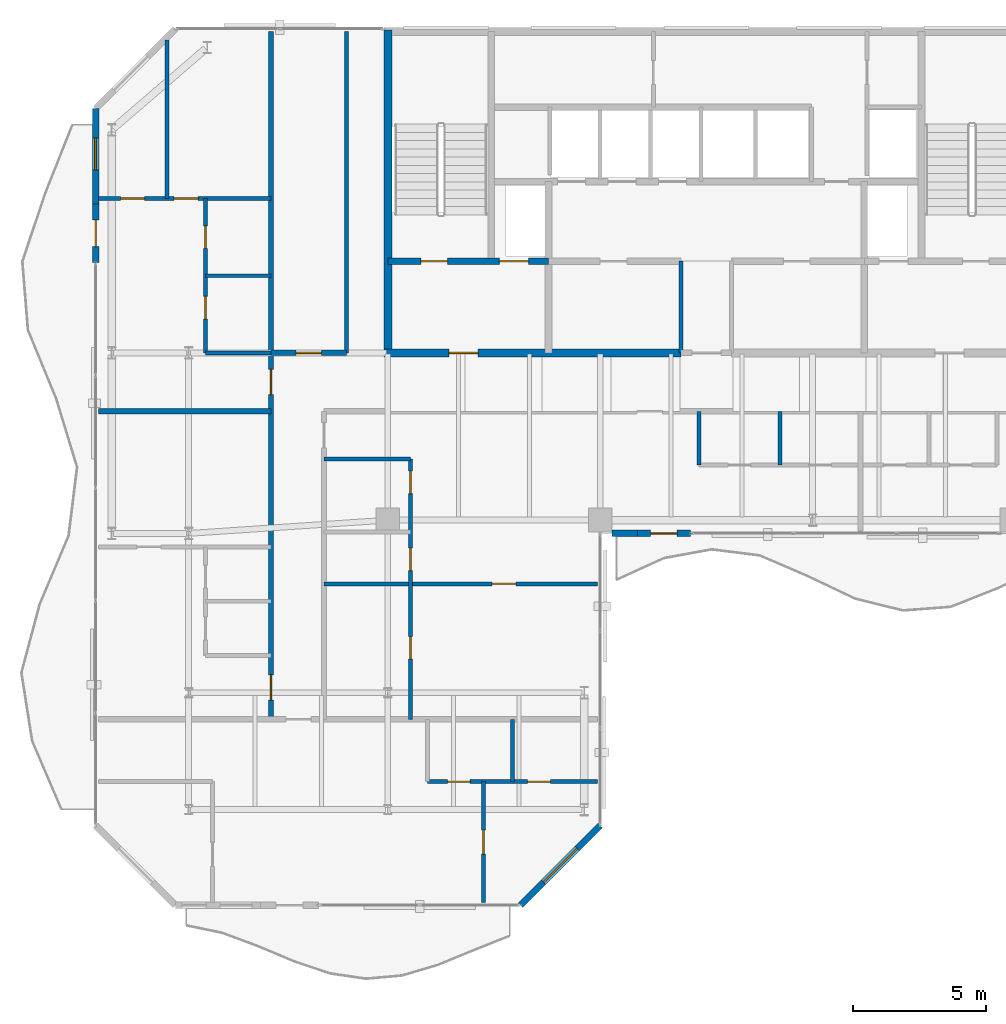
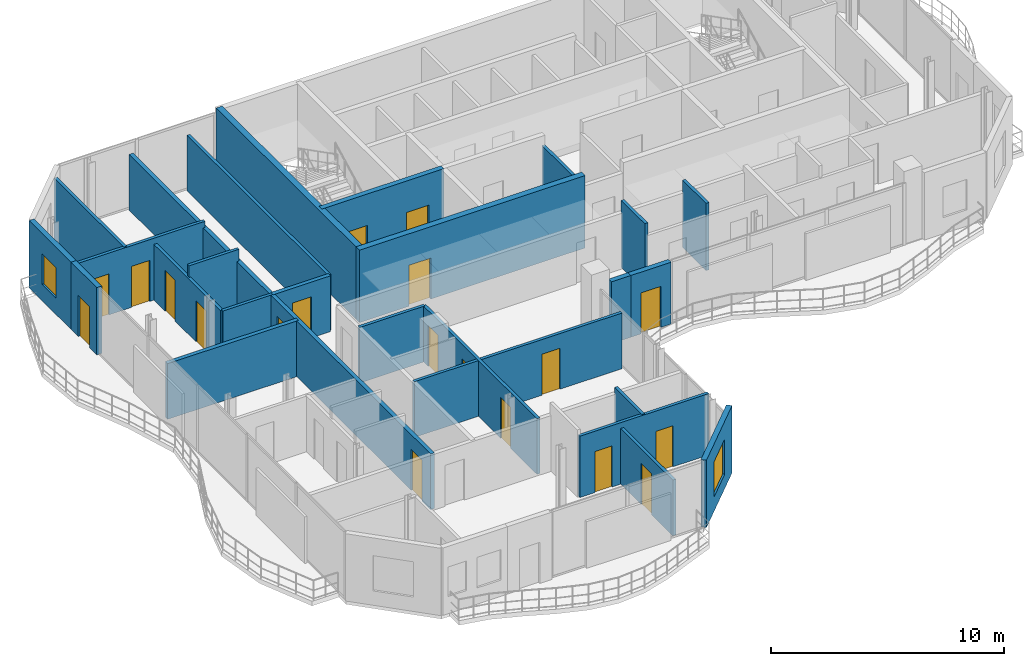
# One storey, part 18 of 22: 26 walls, 19 doors, 2 windows, 21 openings.
"""IFC4 building model written with IfcOpenShell, lengths in metres."""

import ifcopenshell
import ifcopenshell.guid

model = None  # the IFC model being written
_history = None  # IfcOwnerHistory: only IFC2X3 demands one
_inside = {}  # id of a spatial element -> (the spatial element, [elements in it])
_under = {}  # id of a project, library or spatial element -> (it, [spatial elements below it])
_declared = {}  # id of a project -> (the project, [libraries it declares])
_typed = {}  # id of a type object -> (the type object, [elements of that type])
_made_of = {}  # id of a material, layer set ... -> (it, [elements and type objects made of it])


def new_model(schema):
    """Start an empty IFC model of exactly this schema.

    Asked for "IFC4X3", IfcOpenShell would pick the latest addendum, in which some entities
    have other attributes; the version numbers below select the first issue.
    IFC2X3 requires an IfcOwnerHistory on every rooted entity: one is made here for all.
    """
    global model, _history
    if schema == "IFC4X3":
        model = ifcopenshell.file(schema_version=(4, 3, 0, 0))
    else:
        model = ifcopenshell.file(schema=schema)
    _inside.clear()
    _under.clear()
    _declared.clear()
    _typed.clear()
    _made_of.clear()
    _history = None
    if model.schema == "IFC2X3":
        org = make("IfcOrganization", Name="unknown")
        user = make(
            "IfcPersonAndOrganization",
            ThePerson=make("IfcPerson", FamilyName="unknown"),
            TheOrganization=org,
        )
        app = make(
            "IfcApplication",
            ApplicationDeveloper=org,
            Version="unknown",
            ApplicationFullName="unknown",
            ApplicationIdentifier="unknown",
        )
        _history = make(
            "IfcOwnerHistory",
            OwningUser=user,
            OwningApplication=app,
            ChangeAction="ADDED",
            CreationDate=0,
        )
    return model


def make(cls, **values):
    """One entity of the class cls with the attributes given. An attribute that is None is left unset."""
    return model.create_entity(
        cls, **{name: value for name, value in values.items() if value is not None}
    )


def rooted(cls, **values):
    """An entity with a GlobalId (a new one), such as an element, a storey or a relation."""
    return make(cls, GlobalId=ifcopenshell.guid.new(), OwnerHistory=_history, **values)


def si_unit(unit_type, name, prefix=None):
    """IfcSIUnit, for example si_unit("LENGTHUNIT", "METRE", prefix="MILLI")."""
    return make("IfcSIUnit", UnitType=unit_type, Prefix=prefix, Name=name)


def assignment(units):
    """IfcUnitAssignment: the units of a project."""
    return None if units is None else make("IfcUnitAssignment", Units=units)


def point(xyz):
    """IfcCartesianPoint."""
    return None if xyz is None else make("IfcCartesianPoint", Coordinates=xyz)


def direction(xyz):
    """IfcDirection."""
    return None if xyz is None else make("IfcDirection", DirectionRatios=xyz)


def frame(location, z_axis=None, x_axis=None):
    """IfcAxis2Placement3D, a coordinate frame: its origin and axes. An axis left out is left unset."""
    return make(
        "IfcAxis2Placement3D",
        Location=point(location),
        Axis=direction(z_axis),
        RefDirection=direction(x_axis),
    )


def frame_2d(location, x_axis=None):
    """IfcAxis2Placement2D, a coordinate frame in the plane: its origin and x axis."""
    return make(
        "IfcAxis2Placement2D", Location=point(location), RefDirection=direction(x_axis)
    )


def origin():
    """The frame at (0, 0, 0) with its axes left unset."""
    return frame((0.0, 0.0, 0.0))


def place(relative_to, where):
    """IfcLocalPlacement: puts the frame where relative to a parent placement (None: the world)."""
    return make(
        "IfcLocalPlacement", PlacementRelTo=relative_to, RelativePlacement=where
    )


def context(
    kind, dimensions, precision=None, world=None, true_north=None, identifier=None
):
    """IfcGeometricRepresentationContext, for example the 3D "Model" context."""
    return make(
        "IfcGeometricRepresentationContext",
        ContextIdentifier=identifier,
        ContextType=kind,
        CoordinateSpaceDimension=dimensions,
        Precision=precision,
        WorldCoordinateSystem=world,
        TrueNorth=true_north,
    )


def subcontext(parent, identifier, kind, view, scale=None):
    """IfcGeometricRepresentationSubContext, for example "Body" below "Model"."""
    return make(
        "IfcGeometricRepresentationSubContext",
        ContextIdentifier=identifier,
        ContextType=kind,
        ParentContext=parent,
        TargetScale=scale,
        TargetView=view,
    )


def project(units=None, contexts=None):
    """IfcProject with its units and contexts."""
    return rooted(
        "IfcProject",
        Name="project",
        RepresentationContexts=contexts,
        UnitsInContext=assignment(units),
    )


def spatial(cls, under=None, at=None, **own):
    """A site, building, storey or space (cls), placed at a placement, below another one or the project."""
    s = rooted(cls, ObjectPlacement=at, **own)
    if under is not None:
        _under.setdefault(under.id(), (under, []))[1].append(s)
    return s


def profile(cls, at=None, kind="AREA", **sizes):
    """A parametric profile (cls). Its sizes go by their IFC names, for example OverallWidth=200.0."""
    return make(cls, ProfileType=kind, Position=at, **sizes)


def rectangle(**sizes):
    """IfcRectangleProfileDef."""
    return profile("IfcRectangleProfileDef", **sizes)


def extrude(swept, where, along, depth):
    """IfcExtrudedAreaSolid: the profile swept, set in the frame where, extruded along a direction by depth."""
    return make(
        "IfcExtrudedAreaSolid",
        SweptArea=swept,
        Position=where,
        ExtrudedDirection=direction(along),
        Depth=depth,
    )


def shape(context_of_items, identifier, shape_type, items):
    """IfcShapeRepresentation: the items that make up one representation, for example the "Body"."""
    return make(
        "IfcShapeRepresentation",
        ContextOfItems=context_of_items,
        RepresentationIdentifier=identifier,
        RepresentationType=shape_type,
        Items=items,
    )


def material(Name=None, Category=None):
    """IfcMaterial."""
    return make("IfcMaterial", Name=Name, Category=Category)


def layer(
    of_material, thickness, ventilated=None, Name=None, Category=None, Priority=None
):
    """IfcMaterialLayer: one layer of a wall or slab, of a material (None: an air gap)."""
    return make(
        "IfcMaterialLayer",
        Material=of_material,
        LayerThickness=thickness,
        IsVentilated=ventilated,
        Name=Name,
        Category=Category,
        Priority=Priority,
    )


def layer_set(layers, Name=None):
    """IfcMaterialLayerSet."""
    return make("IfcMaterialLayerSet", MaterialLayers=layers, LayerSetName=Name)


def made_of(thing, what):
    """Note that an element or type object is made of a material, layer set ...; save() writes the relation."""
    if what is not None:
        _made_of.setdefault(what.id(), (what, []))[1].append(thing)
    return thing


def type_object(cls, material=None, **own):
    """A type object (cls), such as IfcWallType, which elements share."""
    return made_of(rooted(cls, **own), material)


def element(
    cls,
    number,
    at=None,
    inside=None,
    cuts=None,
    type_object=None,
    material=None,
    context=None,
    identifier="Body",
    shape_type=None,
    held_by="IfcProductDefinitionShape",
    body=None,
    shapes=None,
    **own,
):
    """One element of the class cls, such as IfcWall. Its Tag is "e" and its number.

    at: its placement. inside: the storey or other place that contains it. cuts: it is an
    opening in that element (IfcRelVoidsElement). A single representation is given by context,
    identifier, shape_type and body (its items); several are given by shapes. held_by: the class
    of the entity that holds the representations. save() writes the other relations.
    """
    e = rooted(cls, Tag="e%d" % number, ObjectPlacement=at, **own)
    if body is not None:
        shapes = [shape(context, identifier, shape_type, body)]
    if shapes is not None:
        e.Representation = make(held_by, Representations=shapes)
    if inside is not None:
        _inside.setdefault(inside.id(), (inside, []))[1].append(e)
    if cuts is not None:
        rooted(
            "IfcRelVoidsElement", RelatingBuildingElement=cuts, RelatedOpeningElement=e
        )
    if type_object is not None:
        _typed.setdefault(type_object.id(), (type_object, []))[1].append(e)
    return made_of(e, material)


def fill(opening, filler):
    """IfcRelFillsElement: the door or window that sits in an opening."""
    return rooted(
        "IfcRelFillsElement",
        RelatingOpeningElement=opening,
        RelatedBuildingElement=filler,
    )


def aggregate(whole, parts):
    """IfcRelAggregates: a whole, such as a stair, and the parts it consists of."""
    return rooted("IfcRelAggregates", RelatingObject=whole, RelatedObjects=parts)


def save(model, path):
    """Write the relations noted so far, then the file.

    IfcRelAggregates (storeys below a building ...), IfcRelContainedInSpatialStructure (elements
    in a storey), IfcRelDefinesByType, IfcRelAssociatesMaterial and IfcRelDeclares: one each for
    every whole, place, type object, material and project.
    """
    for whole, parts in _under.values():
        aggregate(whole, parts)
    for where, things in _inside.values():
        rooted(
            "IfcRelContainedInSpatialStructure",
            RelatedElements=things,
            RelatingStructure=where,
        )
    for kind, things in _typed.values():
        rooted("IfcRelDefinesByType", RelatedObjects=things, RelatingType=kind)
    for what, things in _made_of.values():
        rooted("IfcRelAssociatesMaterial", RelatedObjects=things, RelatingMaterial=what)
    for by, libraries in _declared.values():
        rooted("IfcRelDeclares", RelatingContext=by, RelatedDefinitions=libraries)
    model.write(path)


model = new_model("IFC4")

# Units and contexts
model_context = context("Model", 3, precision=1e-05, world=origin(), true_north=direction((0.0, 1.0)))
body_context = subcontext(model_context, "Body", "Model", "MODEL_VIEW")
ifc_project = project(units=[si_unit("LENGTHUNIT", "METRE"), si_unit("AREAUNIT", "SQUARE_METRE"), si_unit("VOLUMEUNIT", "CUBIC_METRE"), si_unit("PLANEANGLEUNIT", "RADIAN"), si_unit("MASSUNIT", "GRAM", prefix="KILO")], contexts=[model_context])

# Site, building, storey
site_placement = place(None, origin())
site = spatial("IfcSite", under=ifc_project, at=site_placement, CompositionType="ELEMENT")
building_placement = place(site_placement, origin())
building = spatial("IfcBuilding", under=site, at=building_placement, Name="Catumbela Crestline Tower", CompositionType="ELEMENT")
storey_placement = place(building_placement, frame((0.0, 0.0, 218.4)))
storey = spatial("IfcBuildingStorey", under=building, at=storey_placement, Name="L56", CompositionType="ELEMENT", Elevation=218.4)

# Wall, openings, doors
ifc_material_1 = material(Name="Concrete C50/60", Category="concrete")
ifc_layer_1 = layer(ifc_material_1, 0.25, Name="Concrete C50/60")
ifc_layer_set_1 = layer_set([ifc_layer_1], Name="Concrete C50/60")
wall_type_1 = type_object("IfcWallType", Name="CW-250D", PredefinedType="SHEAR", material=ifc_layer_set_1)
wall_1_placement = place(storey_placement, frame((16.0, 34.25, 0.0), z_axis=(0.0, 0.0, 1.0), x_axis=(1.0, 0.0, 0.0)))
wall_1 = element("IfcWall", 1, at=wall_1_placement, inside=storey, type_object=wall_type_1, Name="L56 Structural Core Shear Wall ST1S", PredefinedType="SHEAR", context=body_context, shape_type="SweptSolid", body=[
    extrude(rectangle(XDim=6.05, YDim=0.25, at=frame_2d((3.025, 0.0))), origin(), (0.0, 0.0, 1.0), 3.8),
])
opening_1_placement = place(wall_1_placement, frame((1.25, 0.0, 0.0)))
opening_1 = element("IfcOpeningElement", 2, at=opening_1_placement, cuts=wall_1, Name="Opening DF9-100", PredefinedType="OPENING", context=body_context, shape_type="SweptSolid", body=[
    extrude(rectangle(XDim=1.0, YDim=2.15, at=frame_2d((0.5, 1.075))), frame((0.0, 0.135, 0.0), z_axis=(0.0, -1.0, 0.0), x_axis=(1.0, 0.0, 0.0)), (0.0, 0.0, 1.0), 0.27),
])
opening_2_placement = place(wall_1_placement, frame((4.2, 0.0, 0.0)))
opening_2 = element("IfcOpeningElement", 3, at=opening_2_placement, cuts=wall_1, Name="Opening LD-110", PredefinedType="OPENING", context=body_context, shape_type="SweptSolid", body=[
    extrude(rectangle(XDim=1.1, YDim=2.15, at=frame_2d((0.55, 1.075))), frame((0.0, 0.135, 0.0), z_axis=(0.0, -1.0, 0.0), x_axis=(1.0, 0.0, 0.0)), (0.0, 0.0, 1.0), 0.27),
])
ifc_material_2 = material(Name="Stainless steel EN 1.4401", Category="steel")
door_type_1 = type_object("IfcDoorType", Name="DF9-100", OperationType="NOTDEFINED", PredefinedType="DOOR", material=ifc_material_2)
door_1_placement = place(opening_1_placement, origin())
door_1 = element("IfcDoor", 4, at=door_1_placement, inside=storey, type_object=door_type_1, Name="L56 Interior Door DR-L56-ST01", OperationType="SINGLE_SWING_LEFT", OverallHeight=2.15, OverallWidth=1.0, PredefinedType="DOOR", context=body_context, shape_type="SweptSolid", body=[
    extrude(rectangle(XDim=1.0, YDim=2.15, at=frame_2d((0.5, 1.075))), frame((0.0, 0.025, 0.0), z_axis=(0.0, -1.0, 0.0), x_axis=(1.0, 0.0, 0.0)), (0.0, 0.0, 1.0), 0.05),
])
fill(opening_1, door_1)
door_type_2 = type_object("IfcDoorType", Name="LD-110", OperationType="NOTDEFINED", PredefinedType="DOOR", material=ifc_material_2)
door_2_placement = place(opening_2_placement, origin())
door_2 = element("IfcDoor", 5, at=door_2_placement, inside=storey, type_object=door_type_2, Name="L56 Lift Landing Sliding Door FL-01", OperationType="DOUBLE_DOOR_SLIDING", OverallHeight=2.15, OverallWidth=1.1, PredefinedType="DOOR", context=body_context, shape_type="SweptSolid", body=[
    extrude(rectangle(XDim=1.1, YDim=2.15, at=frame_2d((0.55, 1.075))), frame((0.0, 0.025, 0.0), z_axis=(0.0, -1.0, 0.0), x_axis=(1.0, 0.0, 0.0)), (0.0, 0.0, 1.0), 0.05),
])
fill(opening_2, door_2)

# Wall
ifc_material_3 = material(Name="Concrete C45/55", Category="concrete")
ifc_layer_2 = layer(ifc_material_3, 0.3, Name="Concrete C45/55")
ifc_layer_set_2 = layer_set([ifc_layer_2], Name="Concrete C45/55")
wall_type_2 = type_object("IfcWallType", Name="CW-300C", PredefinedType="SHEAR", material=ifc_layer_set_2)
wall_2_placement = place(storey_placement, frame((16.0, 30.65, 0.0), z_axis=(0.0, 0.0, 1.0), x_axis=(0.0, 1.0, 0.0)))
element("IfcWall", 6, at=wall_2_placement, inside=storey, type_object=wall_type_2, Name="L56 Structural Core Shear Wall W", PredefinedType="SHEAR", context=body_context, shape_type="SweptSolid", body=[
    extrude(rectangle(XDim=12.3, YDim=0.3, at=frame_2d((6.15, 0.0))), origin(), (0.0, 0.0, 1.0), 3.8),
])

# Wall, opening, door
wall_3_placement = place(storey_placement, frame((15.85, 30.8, 0.0), z_axis=(0.0, 0.0, 1.0), x_axis=(1.0, 0.0, 0.0)))
wall_3 = element("IfcWall", 7, at=wall_3_placement, inside=storey, type_object=wall_type_2, Name="L56 Structural Core Shear Wall SW", PredefinedType="SHEAR", context=body_context, shape_type="SweptSolid", body=[
    extrude(rectangle(XDim=11.2, YDim=0.3, at=frame_2d((5.6, 0.0))), origin(), (0.0, 0.0, 1.0), 3.8),
])
opening_3_placement = place(wall_3_placement, frame((2.45, 0.0, 0.0)))
opening_3 = element("IfcOpeningElement", 8, at=opening_3_placement, cuts=wall_3, Name="Opening DF9-110", PredefinedType="OPENING", context=body_context, shape_type="SweptSolid", body=[
    extrude(rectangle(XDim=1.1, YDim=2.15, at=frame_2d((0.55, 1.075))), frame((0.0, 0.16, 0.0), z_axis=(0.0, -1.0, 0.0), x_axis=(1.0, 0.0, 0.0)), (0.0, 0.0, 1.0), 0.32),
])
door_type_3 = type_object("IfcDoorType", Name="DF9-110", OperationType="NOTDEFINED", PredefinedType="DOOR", material=ifc_material_2)
door_3_placement = place(opening_3_placement, origin())
door_3 = element("IfcDoor", 9, at=door_3_placement, inside=storey, type_object=door_type_3, Name="L56 Interior Door DR-L56-FFW-S", OperationType="SINGLE_SWING_LEFT", OverallHeight=2.15, OverallWidth=1.1, PredefinedType="DOOR", context=body_context, shape_type="SweptSolid", body=[
    extrude(rectangle(XDim=1.1, YDim=2.15, at=frame_2d((0.55, 1.075))), frame((0.0, 0.025, 0.0), z_axis=(0.0, -1.0, 0.0), x_axis=(1.0, 0.0, 0.0)), (0.0, 0.0, 1.0), 0.05),
])
fill(opening_3, door_3)

# Wall, openings, doors
ifc_material_4 = material(Name="Acoustic gypsum and mineral-wool partition")
ifc_layer_3 = layer(ifc_material_4, 0.2, Name="Acoustic gypsum and mineral-wool partition")
ifc_layer_set_3 = layer_set([ifc_layer_3], Name="Acoustic gypsum and mineral-wool partition")
wall_type_3 = type_object("IfcWallType", Name="WC-200", PredefinedType="PARTITIONING", material=ifc_layer_set_3)
wall_4_placement = place(storey_placement, frame((11.6, 17.0, 0.0), z_axis=(0.0, 0.0, 1.0), x_axis=(0.0, 1.0, 0.0)))
wall_4 = element("IfcWall", 10, at=wall_4_placement, inside=storey, type_object=wall_type_3, Name="L56 Interior Partition PW-L56-NW1-ENT", PredefinedType="PARTITIONING", context=body_context, shape_type="SweptSolid", body=[
    extrude(rectangle(XDim=25.9, YDim=0.2, at=frame_2d((12.95, 0.0))), origin(), (0.0, 0.0, 1.0), 2.92),
])
opening_4_placement = place(wall_4_placement, frame((12.225, 0.0, 0.0)))
opening_4 = element("IfcOpeningElement", 11, at=opening_4_placement, cuts=wall_4, Name="Opening DF6-095", PredefinedType="OPENING", context=body_context, shape_type="SweptSolid", body=[
    extrude(rectangle(XDim=0.95, YDim=2.15, at=frame_2d((0.475, 1.075))), frame((0.0, 0.11, 0.0), z_axis=(0.0, -1.0, 0.0), x_axis=(1.0, 0.0, 0.0)), (0.0, 0.0, 1.0), 0.22),
])
opening_5_placement = place(wall_4_placement, frame((0.723, 0.0, 0.0)))
opening_5 = element("IfcOpeningElement", 12, at=opening_5_placement, cuts=wall_4, Name="Opening DF6-095", PredefinedType="OPENING", context=body_context, shape_type="SweptSolid", body=[
    extrude(rectangle(XDim=0.95, YDim=2.15, at=frame_2d((0.475, 1.075))), frame((0.0, 0.11, 0.0), z_axis=(0.0, -1.0, 0.0), x_axis=(1.0, 0.0, 0.0)), (0.0, 0.0, 1.0), 0.22),
])
ifc_material_5 = material(Name="Aluminium alloy AW-6060-T66", Category="aluminium")
door_type_4 = type_object("IfcDoorType", Name="DF6-095", OperationType="NOTDEFINED", PredefinedType="DOOR", material=ifc_material_5)
door_4_placement = place(opening_4_placement, origin())
door_4 = element("IfcDoor", 13, at=door_4_placement, inside=storey, type_object=door_type_4, Name="L56 Interior Door DR-L56-NW1-ENT", OperationType="SINGLE_SWING_LEFT", OverallHeight=2.15, OverallWidth=0.95, PredefinedType="DOOR", context=body_context, shape_type="SweptSolid", body=[
    extrude(rectangle(XDim=0.95, YDim=2.15, at=frame_2d((0.475, 1.075))), frame((0.0, 0.025, 0.0), z_axis=(0.0, -1.0, 0.0), x_axis=(1.0, 0.0, 0.0)), (0.0, 0.0, 1.0), 0.05),
])
fill(opening_4, door_4)
door_5_placement = place(opening_5_placement, origin())
door_5 = element("IfcDoor", 14, at=door_5_placement, inside=storey, type_object=door_type_4, Name="L56 Interior Door DR-L56-WL1-ENT", OperationType="SINGLE_SWING_LEFT", OverallHeight=2.15, OverallWidth=0.95, PredefinedType="DOOR", context=body_context, shape_type="SweptSolid", body=[
    extrude(rectangle(XDim=0.95, YDim=2.15, at=frame_2d((0.475, 1.075))), frame((0.0, 0.025, 0.0), z_axis=(0.0, -1.0, 0.0), x_axis=(1.0, 0.0, 0.0)), (0.0, 0.0, 1.0), 0.05),
])
fill(opening_5, door_5)

# Wall, opening, door
wall_5_placement = place(storey_placement, frame((11.6, 30.8, 0.0), z_axis=(0.0, 0.0, 1.0), x_axis=(1.0, 0.0, 0.0)))
wall_5 = element("IfcWall", 15, at=wall_5_placement, inside=storey, type_object=wall_type_3, Name="L56 Interior Partition PW-L56-NWST-ENT", PredefinedType="PARTITIONING", context=body_context, shape_type="SweptSolid", body=[
    extrude(rectangle(XDim=2.85, YDim=0.2, at=frame_2d((1.425, 0.0))), origin(), (0.0, 0.0, 1.0), 2.92),
])
opening_6_placement = place(wall_5_placement, frame((0.95, 0.0, 0.0)))
opening_6 = element("IfcOpeningElement", 16, at=opening_6_placement, cuts=wall_5, Name="Opening DF6-095", PredefinedType="OPENING", context=body_context, shape_type="SweptSolid", body=[
    extrude(rectangle(XDim=0.95, YDim=2.15, at=frame_2d((0.475, 1.075))), frame((0.0, 0.11, 0.0), z_axis=(0.0, -1.0, 0.0), x_axis=(1.0, 0.0, 0.0)), (0.0, 0.0, 1.0), 0.22),
])
door_6_placement = place(opening_6_placement, origin())
door_6 = element("IfcDoor", 17, at=door_6_placement, inside=storey, type_object=door_type_4, Name="L56 Interior Door DR-L56-NWST-ENT", OperationType="SINGLE_SWING_LEFT", OverallHeight=2.15, OverallWidth=0.95, PredefinedType="DOOR", context=body_context, shape_type="SweptSolid", body=[
    extrude(rectangle(XDim=0.95, YDim=2.15, at=frame_2d((0.475, 1.075))), frame((0.0, 0.025, 0.0), z_axis=(0.0, -1.0, 0.0), x_axis=(1.0, 0.0, 0.0)), (0.0, 0.0, 1.0), 0.05),
])
fill(opening_6, door_6)

# Wall, opening, window
ifc_material_6 = material(Name="Angolan grey-ochre granite", Category="masonry")
ifc_layer_4 = layer(ifc_material_6, 0.25, Name="Angolan grey-ochre granite")
ifc_layer_set_4 = layer_set([ifc_layer_4], Name="Angolan grey-ochre granite")
wall_type_4 = type_object("IfcWallType", Name="WE-250", PredefinedType="STANDARD", material=ifc_layer_set_4)
wall_6_placement = place(storey_placement, frame((21.0, 10.0, 0.0), z_axis=(0.0, 0.0, 1.0), x_axis=(0.707106781187, 0.707106781187, 0.0)))
wall_6 = element("IfcWall", 18, at=wall_6_placement, inside=storey, type_object=wall_type_4, Name="L56 Granite Punched Window Wall 1-1", PredefinedType="STANDARD", context=body_context, shape_type="SweptSolid", body=[
    extrude(rectangle(XDim=4.2426, YDim=0.25, at=frame_2d((2.1213, 0.0))), origin(), (0.0, 0.0, 1.0), 3.53),
])
opening_7_placement = place(wall_6_placement, frame((1.2213, 0.0, 0.75)))
opening_7 = element("IfcOpeningElement", 19, at=opening_7_placement, cuts=wall_6, Name="Opening WN-01", PredefinedType="OPENING", context=body_context, shape_type="SweptSolid", body=[
    extrude(rectangle(XDim=1.8, YDim=1.85, at=frame_2d((0.9, 0.925))), frame((0.0, 0.135, 0.0), z_axis=(0.0, -1.0, 0.0), x_axis=(1.0, 0.0, 0.0)), (0.0, 0.0, 1.0), 0.27),
])
ifc_material_7 = material(Name="Low-E laminated solar-control double glazing", Category="glass")
window_type_1 = type_object("IfcWindowType", Name="WF-1800", PartitioningType="SINGLE_PANEL", PredefinedType="WINDOW", material=ifc_material_7)
window_1_placement = place(opening_7_placement, origin())
window_1 = element("IfcWindow", 20, at=window_1_placement, inside=storey, type_object=window_type_1, Name="L56 Facade Vision Window 381", OverallHeight=1.85, OverallWidth=1.8, PartitioningType="SINGLE_PANEL", PredefinedType="WINDOW", context=body_context, shape_type="SweptSolid", body=[
    extrude(rectangle(XDim=1.8, YDim=1.85, at=frame_2d((0.9, 0.925))), frame((0.0, 0.03, 0.0), z_axis=(0.0, -1.0, 0.0), x_axis=(1.0, 0.0, 0.0)), (0.0, 0.0, 1.0), 0.06),
])
fill(opening_7, window_1)

# Wall, opening, door
wall_7_placement = place(storey_placement, frame((25.4, 24.0, 0.0), z_axis=(0.0, 0.0, 1.0), x_axis=(1.0, 0.0, 0.0)))
wall_7 = element("IfcWall", 21, at=wall_7_placement, inside=storey, type_object=wall_type_4, Name="L56 Exterior Threshold Portal Wall DR-L56-WBAL-1", PredefinedType="STANDARD", context=body_context, shape_type="SweptSolid", body=[
    extrude(rectangle(XDim=2.0, YDim=0.25, at=frame_2d((1.0, 0.0))), origin(), (0.0, 0.0, 1.0), 3.24),
])
opening_8_placement = place(wall_7_placement, frame((0.5, 0.0, 0.0)))
opening_8 = element("IfcOpeningElement", 22, at=opening_8_placement, cuts=wall_7, Name="Opening DB-L56-1", PredefinedType="OPENING", context=body_context, shape_type="SweptSolid", body=[
    extrude(rectangle(XDim=1.0, YDim=2.15, at=frame_2d((0.5, 1.075))), frame((0.0, 0.135, 0.0), z_axis=(0.0, -1.0, 0.0), x_axis=(1.0, 0.0, 0.0)), (0.0, 0.0, 1.0), 0.27),
])
door_type_5 = type_object("IfcDoorType", Name="DB-1000", OperationType="NOTDEFINED", PredefinedType="DOOR", material=ifc_material_5)
door_7_placement = place(opening_8_placement, origin())
door_7 = element("IfcDoor", 23, at=door_7_placement, inside=storey, type_object=door_type_5, Name="L56 Wave Balcony Terrace Door 1", OperationType="SINGLE_SWING_RIGHT", OverallHeight=2.15, OverallWidth=1.0, PredefinedType="DOOR", context=body_context, shape_type="SweptSolid", body=[
    extrude(rectangle(XDim=1.0, YDim=2.15, at=frame_2d((0.5, 1.075))), frame((0.0, 0.025, 0.0), z_axis=(0.0, -1.0, 0.0), x_axis=(1.0, 0.0, 0.0)), (0.0, 0.0, 1.0), 0.05),
])
fill(opening_8, door_7)

# Wall
wall_8_placement = place(storey_placement, frame((24.45, 24.0, 0.0), z_axis=(0.0, 0.0, 1.0), x_axis=(1.0, 0.0, 0.0)))
element("IfcWall", 24, at=wall_8_placement, inside=storey, type_object=wall_type_4, Name="L56 Granite Punched Window Wall 3-1", PredefinedType="STANDARD", context=body_context, shape_type="SweptSolid", body=[
    extrude(rectangle(XDim=0.95, YDim=0.25, at=frame_2d((0.475, 0.0))), origin(), (0.0, 0.0, 1.0), 3.24),
])

# Wall, opening, door
wall_9_placement = place(storey_placement, frame((5.0, 36.4, 0.0), z_axis=(0.0, 0.0, 1.0), x_axis=(0.0, -1.0, 0.0)))
wall_9 = element("IfcWall", 25, at=wall_9_placement, inside=storey, type_object=wall_type_4, Name="L56 Exterior Threshold Portal Wall DR-L56-WBAL-4", PredefinedType="STANDARD", context=body_context, shape_type="SweptSolid", body=[
    extrude(rectangle(XDim=2.2, YDim=0.25, at=frame_2d((1.1, 0.0))), origin(), (0.0, 0.0, 1.0), 3.53),
])
opening_9_placement = place(wall_9_placement, frame((0.6, 0.0, 0.0)))
opening_9 = element("IfcOpeningElement", 26, at=opening_9_placement, cuts=wall_9, Name="Opening DB-L56-4", PredefinedType="OPENING", context=body_context, shape_type="SweptSolid", body=[
    extrude(rectangle(XDim=1.0, YDim=2.15, at=frame_2d((0.5, 1.075))), frame((0.0, 0.135, 0.0), z_axis=(0.0, -1.0, 0.0), x_axis=(1.0, 0.0, 0.0)), (0.0, 0.0, 1.0), 0.27),
])
door_8_placement = place(opening_9_placement, origin())
door_8 = element("IfcDoor", 27, at=door_8_placement, inside=storey, type_object=door_type_5, Name="L56 Wave Balcony Terrace Door 4", OperationType="SINGLE_SWING_LEFT", OverallHeight=2.15, OverallWidth=1.0, PredefinedType="DOOR", context=body_context, shape_type="SweptSolid", body=[
    extrude(rectangle(XDim=1.0, YDim=2.15, at=frame_2d((0.5, 1.075))), frame((0.0, 0.025, 0.0), z_axis=(0.0, -1.0, 0.0), x_axis=(1.0, 0.0, 0.0)), (0.0, 0.0, 1.0), 0.05),
])
fill(opening_9, door_8)

# Wall, opening, window
wall_10_placement = place(storey_placement, frame((5.0, 40.0, 0.0), z_axis=(0.0, 0.0, 1.0), x_axis=(0.0, -1.0, 0.0)))
wall_10 = element("IfcWall", 28, at=wall_10_placement, inside=storey, type_object=wall_type_4, Name="L56 Granite Punched Window Wall 9-1", PredefinedType="STANDARD", context=body_context, shape_type="SweptSolid", body=[
    extrude(rectangle(XDim=3.6, YDim=0.25, at=frame_2d((1.8, 0.0))), origin(), (0.0, 0.0, 1.0), 3.53),
])
opening_10_placement = place(wall_10_placement, frame((1.106, 0.0, 0.85)))
opening_10 = element("IfcOpeningElement", 29, at=opening_10_placement, cuts=wall_10, Name="Opening WN-02", PredefinedType="OPENING", context=body_context, shape_type="SweptSolid", body=[
    extrude(rectangle(XDim=1.2, YDim=1.6, at=frame_2d((0.6, 0.8))), frame((0.0, 0.135, 0.0), z_axis=(0.0, -1.0, 0.0), x_axis=(1.0, 0.0, 0.0)), (0.0, 0.0, 1.0), 0.27),
])
window_type_2 = type_object("IfcWindowType", Name="WO-1200", PartitioningType="SINGLE_PANEL", PredefinedType="WINDOW", material=ifc_material_7)
window_2_placement = place(opening_10_placement, origin())
window_2 = element("IfcWindow", 30, at=window_2_placement, inside=storey, type_object=window_type_2, Name="L56 Facade Vision Window 388", OverallHeight=1.6, OverallWidth=1.2, PartitioningType="SINGLE_PANEL", PredefinedType="WINDOW", context=body_context, shape_type="SweptSolid", body=[
    extrude(rectangle(XDim=1.2, YDim=1.6, at=frame_2d((0.6, 0.8))), frame((0.0, 0.03, 0.0), z_axis=(0.0, -1.0, 0.0), x_axis=(1.0, 0.0, 0.0)), (0.0, 0.0, 1.0), 0.06),
])
fill(opening_10, window_2)

# Walls
ifc_layer_5 = layer(ifc_material_4, 0.15, Name="Acoustic gypsum and mineral-wool partition")
ifc_layer_set_5 = layer_set([ifc_layer_5], Name="Acoustic gypsum and mineral-wool partition")
wall_type_5 = type_object("IfcWallType", Name="WP-150", PredefinedType="PARTITIONING", material=ifc_layer_set_5)
wall_11_placement = place(storey_placement, frame((9.13, 30.8, 0.0), z_axis=(0.0, 0.0, 1.0), x_axis=(1.0, 0.0, 0.0)))
element("IfcWall", 31, at=wall_11_placement, inside=storey, type_object=wall_type_5, Name="L56 Interior Partition PW-L56-NW1-KBS", PredefinedType="PARTITIONING", context=body_context, shape_type="SweptSolid", body=[
    extrude(rectangle(XDim=2.47, YDim=0.15, at=frame_2d((1.235, 0.0))), origin(), (0.0, 0.0, 1.0), 2.92),
])
wall_12_placement = place(storey_placement, frame((9.13, 33.704, 0.0), z_axis=(0.0, 0.0, 1.0), x_axis=(1.0, 0.0, 0.0)))
element("IfcWall", 32, at=wall_12_placement, inside=storey, type_object=wall_type_5, Name="L56 Interior Partition PW-L56-NW1-KBM", PredefinedType="PARTITIONING", context=body_context, shape_type="SweptSolid", body=[
    extrude(rectangle(XDim=2.47, YDim=0.15, at=frame_2d((1.235, 0.0))), origin(), (0.0, 0.0, 1.0), 3.53),
])

# Wall, openings, doors
wall_13_placement = place(storey_placement, frame((5.1, 36.608, 0.0), z_axis=(0.0, 0.0, 1.0), x_axis=(1.0, 0.0, 0.0)))
wall_13 = element("IfcWall", 33, at=wall_13_placement, inside=storey, type_object=wall_type_5, Name="L56 Interior Partition PW-L56-NW1-KBN", PredefinedType="PARTITIONING", context=body_context, shape_type="SweptSolid", body=[
    extrude(rectangle(XDim=6.5, YDim=0.15, at=frame_2d((3.25, 0.0))), origin(), (0.0, 0.0, 1.0), 3.24),
])
opening_11_placement = place(wall_13_placement, frame((0.84, 0.0, 0.0)))
opening_11 = element("IfcOpeningElement", 34, at=opening_11_placement, cuts=wall_13, Name="Opening DI-090", PredefinedType="OPENING", context=body_context, shape_type="SweptSolid", body=[
    extrude(rectangle(XDim=0.9, YDim=2.15, at=frame_2d((0.45, 1.075))), frame((0.0, 0.085, 0.0), z_axis=(0.0, -1.0, 0.0), x_axis=(1.0, 0.0, 0.0)), (0.0, 0.0, 1.0), 0.17),
])
opening_12_placement = place(wall_13_placement, frame((2.855, 0.0, 0.0)))
opening_12 = element("IfcOpeningElement", 35, at=opening_12_placement, cuts=wall_13, Name="Opening DI-090", PredefinedType="OPENING", context=body_context, shape_type="SweptSolid", body=[
    extrude(rectangle(XDim=0.9, YDim=2.15, at=frame_2d((0.45, 1.075))), frame((0.0, 0.085, 0.0), z_axis=(0.0, -1.0, 0.0), x_axis=(1.0, 0.0, 0.0)), (0.0, 0.0, 1.0), 0.17),
])
door_type_6 = type_object("IfcDoorType", Name="DI-090", OperationType="NOTDEFINED", PredefinedType="DOOR", material=ifc_material_5)
door_9_placement = place(opening_11_placement, origin())
door_9 = element("IfcDoor", 36, at=door_9_placement, inside=storey, type_object=door_type_6, Name="L56 Interior Door DR-L56-NW1-BD1", OperationType="SINGLE_SWING_LEFT", OverallHeight=2.15, OverallWidth=0.9, PredefinedType="DOOR", context=body_context, shape_type="SweptSolid", body=[
    extrude(rectangle(XDim=0.9, YDim=2.15, at=frame_2d((0.45, 1.075))), frame((0.0, 0.025, 0.0), z_axis=(0.0, -1.0, 0.0), x_axis=(1.0, 0.0, 0.0)), (0.0, 0.0, 1.0), 0.05),
])
fill(opening_11, door_9)
door_10_placement = place(opening_12_placement, origin())
door_10 = element("IfcDoor", 37, at=door_10_placement, inside=storey, type_object=door_type_6, Name="L56 Interior Door DR-L56-NW1-BD2", OperationType="SINGLE_SWING_RIGHT", OverallHeight=2.15, OverallWidth=0.9, PredefinedType="DOOR", context=body_context, shape_type="SweptSolid", body=[
    extrude(rectangle(XDim=0.9, YDim=2.15, at=frame_2d((0.45, 1.075))), frame((0.0, 0.025, 0.0), z_axis=(0.0, -1.0, 0.0), x_axis=(1.0, 0.0, 0.0)), (0.0, 0.0, 1.0), 0.05),
])
fill(opening_12, door_10)

wall_14_placement = place(storey_placement, frame((9.13, 30.8, 0.0), z_axis=(0.0, 0.0, 1.0), x_axis=(0.0, 1.0, 0.0)))
wall_14 = element("IfcWall", 38, at=wall_14_placement, inside=storey, type_object=wall_type_5, Name="L56 Interior Partition PW-L56-NW1-LK", PredefinedType="PARTITIONING", context=body_context, shape_type="SweptSolid", body=[
    extrude(rectangle(XDim=5.808, YDim=0.15, at=frame_2d((2.904, 0.0))), origin(), (0.0, 0.0, 1.0), 2.92),
])
opening_13_placement = place(wall_14_placement, frame((1.2737, 0.0, 0.0)))
opening_13 = element("IfcOpeningElement", 39, at=opening_13_placement, cuts=wall_14, Name="Opening DI-085", PredefinedType="OPENING", context=body_context, shape_type="SweptSolid", body=[
    extrude(rectangle(XDim=0.85, YDim=2.15, at=frame_2d((0.425, 1.075))), frame((0.0, 0.085, 0.0), z_axis=(0.0, -1.0, 0.0), x_axis=(1.0, 0.0, 0.0)), (0.0, 0.0, 1.0), 0.17),
])
opening_14_placement = place(wall_14_placement, frame((3.931, 0.0, 0.0)))
opening_14 = element("IfcOpeningElement", 40, at=opening_14_placement, cuts=wall_14, Name="Opening DI-085", PredefinedType="OPENING", context=body_context, shape_type="SweptSolid", body=[
    extrude(rectangle(XDim=0.85, YDim=2.15, at=frame_2d((0.425, 1.075))), frame((0.0, 0.085, 0.0), z_axis=(0.0, -1.0, 0.0), x_axis=(1.0, 0.0, 0.0)), (0.0, 0.0, 1.0), 0.17),
])
door_type_7 = type_object("IfcDoorType", Name="DI-085", OperationType="NOTDEFINED", PredefinedType="DOOR", material=ifc_material_5)
door_11_placement = place(opening_13_placement, origin())
door_11 = element("IfcDoor", 41, at=door_11_placement, inside=storey, type_object=door_type_7, Name="L56 Interior Door DR-L56-NW1-KIT", OperationType="SINGLE_SWING_RIGHT", OverallHeight=2.15, OverallWidth=0.85, PredefinedType="DOOR", context=body_context, shape_type="SweptSolid", body=[
    extrude(rectangle(XDim=0.85, YDim=2.15, at=frame_2d((0.425, 1.075))), frame((0.0, 0.025, 0.0), z_axis=(0.0, -1.0, 0.0), x_axis=(1.0, 0.0, 0.0)), (0.0, 0.0, 1.0), 0.05),
])
fill(opening_13, door_11)
door_12_placement = place(opening_14_placement, origin())
door_12 = element("IfcDoor", 42, at=door_12_placement, inside=storey, type_object=door_type_7, Name="L56 Interior Door DR-L56-NW1-BTH", OperationType="SINGLE_SWING_RIGHT", OverallHeight=2.15, OverallWidth=0.85, PredefinedType="DOOR", context=body_context, shape_type="SweptSolid", body=[
    extrude(rectangle(XDim=0.85, YDim=2.15, at=frame_2d((0.425, 1.075))), frame((0.0, 0.025, 0.0), z_axis=(0.0, -1.0, 0.0), x_axis=(1.0, 0.0, 0.0)), (0.0, 0.0, 1.0), 0.05),
])
fill(opening_14, door_12)

# Walls
wall_15_placement = place(storey_placement, frame((7.68, 36.608, 0.0), z_axis=(0.0, 0.0, 1.0), x_axis=(0.0, 1.0, 0.0)))
element("IfcWall", 43, at=wall_15_placement, inside=storey, type_object=wall_type_5, Name="L56 Interior Partition PW-L56-NW1-BDP", PredefinedType="PARTITIONING", context=body_context, shape_type="SweptSolid", body=[
    extrude(rectangle(XDim=5.972, YDim=0.15, at=frame_2d((2.986, 0.0))), origin(), (0.0, 0.0, 1.0), 3.24),
])
wall_16_placement = place(storey_placement, frame((14.45, 30.8, 0.0), z_axis=(0.0, 0.0, 1.0), x_axis=(0.0, 1.0, 0.0)))
element("IfcWall", 44, at=wall_16_placement, inside=storey, type_object=wall_type_5, Name="L56 Interior Partition PW-L56-NWSTM", PredefinedType="PARTITIONING", context=body_context, shape_type="SweptSolid", body=[
    extrude(rectangle(XDim=12.1, YDim=0.15, at=frame_2d((6.05, 0.0))), origin(), (0.0, 0.0, 1.0), 2.92),
])
for number, where, z_axis, x_axis, name in (
    (45, (27.724, 26.576, 0.0), (0.0, 0.0, 1.0), (0.0, 1.0, 0.0), "L56 Interior Partition PW-L56-S1-KBW"),
    (46, (30.762, 26.576, 0.0), (0.0, 0.0, 1.0), (0.0, 1.0, 0.0), "L56 Interior Partition PW-L56-S1-KBM"),
):
    element("IfcWall", number, at=place(storey_placement, frame(where, z_axis=z_axis, x_axis=x_axis)), inside=storey, type_object=wall_type_5, Name=name, PredefinedType="PARTITIONING", context=body_context, shape_type="SweptSolid", body=[
        extrude(rectangle(XDim=2.024, YDim=0.15, at=frame_2d((1.012, 0.0))), origin(), (0.0, 0.0, 1.0), 3.53),
    ])

# Wall, opening, door
wall_17_placement = place(storey_placement, frame((13.6, 22.104, 0.0), z_axis=(0.0, 0.0, 1.0), x_axis=(1.0, 0.0, 0.0)))
wall_17 = element("IfcWall", 47, at=wall_17_placement, inside=storey, type_object=wall_type_5, Name="L56 Interior Partition PW-L56-WR1-KBS", PredefinedType="PARTITIONING", context=body_context, shape_type="SweptSolid", body=[
    extrude(rectangle(XDim=10.3, YDim=0.15, at=frame_2d((5.15, 0.0))), origin(), (0.0, 0.0, 1.0), 2.92),
])
opening_15_placement = place(wall_17_placement, frame((6.325, 0.0, 0.0)))
opening_15 = element("IfcOpeningElement", 48, at=opening_15_placement, cuts=wall_17, Name="Opening DI-090", PredefinedType="OPENING", context=body_context, shape_type="SweptSolid", body=[
    extrude(rectangle(XDim=0.9, YDim=2.15, at=frame_2d((0.45, 1.075))), frame((0.0, 0.085, 0.0), z_axis=(0.0, -1.0, 0.0), x_axis=(1.0, 0.0, 0.0)), (0.0, 0.0, 1.0), 0.17),
])
door_13_placement = place(opening_15_placement, origin())
door_13 = element("IfcDoor", 49, at=door_13_placement, inside=storey, type_object=door_type_6, Name="L56 Interior Door DR-L56-WR1-BD1", OperationType="SINGLE_SWING_LEFT", OverallHeight=2.15, OverallWidth=0.9, PredefinedType="DOOR", context=body_context, shape_type="SweptSolid", body=[
    extrude(rectangle(XDim=0.9, YDim=2.15, at=frame_2d((0.45, 1.075))), frame((0.0, 0.025, 0.0), z_axis=(0.0, -1.0, 0.0), x_axis=(1.0, 0.0, 0.0)), (0.0, 0.0, 1.0), 0.05),
])
fill(opening_15, door_13)

# Wall
wall_18_placement = place(storey_placement, frame((13.6, 26.8, 0.0), z_axis=(0.0, 0.0, 1.0), x_axis=(1.0, 0.0, 0.0)))
element("IfcWall", 50, at=wall_18_placement, inside=storey, type_object=wall_type_5, Name="L56 Interior Partition PW-L56-WR1-KBN", PredefinedType="PARTITIONING", context=body_context, shape_type="SweptSolid", body=[
    extrude(rectangle(XDim=3.25, YDim=0.15, at=frame_2d((1.625, 0.0))), origin(), (0.0, 0.0, 1.0), 2.92),
])

# Wall, openings, doors
wall_19_placement = place(storey_placement, frame((16.85, 17.0, 0.0), z_axis=(0.0, 0.0, 1.0), x_axis=(0.0, 1.0, 0.0)))
wall_19 = element("IfcWall", 51, at=wall_19_placement, inside=storey, type_object=wall_type_5, Name="L56 Interior Partition PW-L56-WR1-LB", PredefinedType="PARTITIONING", context=body_context, shape_type="SweptSolid", body=[
    extrude(rectangle(XDim=9.8, YDim=0.15, at=frame_2d((4.9, 0.0))), origin(), (0.0, 0.0, 1.0), 2.92),
])
opening_16_placement = place(wall_19_placement, frame((5.5983, 0.0, 0.0)))
opening_16 = element("IfcOpeningElement", 52, at=opening_16_placement, cuts=wall_19, Name="Opening DI-085", PredefinedType="OPENING", context=body_context, shape_type="SweptSolid", body=[
    extrude(rectangle(XDim=0.85, YDim=2.15, at=frame_2d((0.425, 1.075))), frame((0.0, 0.085, 0.0), z_axis=(0.0, -1.0, 0.0), x_axis=(1.0, 0.0, 0.0)), (0.0, 0.0, 1.0), 0.17),
])
opening_17_placement = place(wall_19_placement, frame((8.4963, 0.0, 0.0)))
opening_17 = element("IfcOpeningElement", 53, at=opening_17_placement, cuts=wall_19, Name="Opening DI-085", PredefinedType="OPENING", context=body_context, shape_type="SweptSolid", body=[
    extrude(rectangle(XDim=0.85, YDim=2.15, at=frame_2d((0.425, 1.075))), frame((0.0, 0.085, 0.0), z_axis=(0.0, -1.0, 0.0), x_axis=(1.0, 0.0, 0.0)), (0.0, 0.0, 1.0), 0.17),
])
opening_18_placement = place(wall_19_placement, frame((2.2684, 0.0, 0.0)))
opening_18 = element("IfcOpeningElement", 54, at=opening_18_placement, cuts=wall_19, Name="Opening DI-085", PredefinedType="OPENING", context=body_context, shape_type="SweptSolid", body=[
    extrude(rectangle(XDim=0.85, YDim=2.15, at=frame_2d((0.425, 1.075))), frame((0.0, 0.085, 0.0), z_axis=(0.0, -1.0, 0.0), x_axis=(1.0, 0.0, 0.0)), (0.0, 0.0, 1.0), 0.17),
])
door_14_placement = place(opening_16_placement, origin())
door_14 = element("IfcDoor", 55, at=door_14_placement, inside=storey, type_object=door_type_7, Name="L56 Interior Door DR-L56-WR1-BTH", OperationType="SINGLE_SWING_LEFT", OverallHeight=2.15, OverallWidth=0.85, PredefinedType="DOOR", context=body_context, shape_type="SweptSolid", body=[
    extrude(rectangle(XDim=0.85, YDim=2.15, at=frame_2d((0.425, 1.075))), frame((0.0, 0.025, 0.0), z_axis=(0.0, -1.0, 0.0), x_axis=(1.0, 0.0, 0.0)), (0.0, 0.0, 1.0), 0.05),
])
fill(opening_16, door_14)
door_15_placement = place(opening_17_placement, origin())
door_15 = element("IfcDoor", 56, at=door_15_placement, inside=storey, type_object=door_type_7, Name="L56 Interior Door DR-L56-WR1-KIT", OperationType="SINGLE_SWING_RIGHT", OverallHeight=2.15, OverallWidth=0.85, PredefinedType="DOOR", context=body_context, shape_type="SweptSolid", body=[
    extrude(rectangle(XDim=0.85, YDim=2.15, at=frame_2d((0.425, 1.075))), frame((0.0, 0.025, 0.0), z_axis=(0.0, -1.0, 0.0), x_axis=(1.0, 0.0, 0.0)), (0.0, 0.0, 1.0), 0.05),
])
fill(opening_17, door_15)
door_16_placement = place(opening_18_placement, origin())
door_16 = element("IfcDoor", 57, at=door_16_placement, inside=storey, type_object=door_type_7, Name="L56 Interior Door DR-L56-WR1-WIR", OperationType="SINGLE_SWING_LEFT", OverallHeight=2.15, OverallWidth=0.85, PredefinedType="DOOR", context=body_context, shape_type="SweptSolid", body=[
    extrude(rectangle(XDim=0.85, YDim=2.15, at=frame_2d((0.425, 1.075))), frame((0.0, 0.025, 0.0), z_axis=(0.0, -1.0, 0.0), x_axis=(1.0, 0.0, 0.0)), (0.0, 0.0, 1.0), 0.05),
])
fill(opening_18, door_16)

# Wall
wall_20_placement = place(storey_placement, frame((20.7, 14.65, 0.0), z_axis=(0.0, 0.0, 1.0), x_axis=(0.0, 1.0, 0.0)))
element("IfcWall", 58, at=wall_20_placement, inside=storey, type_object=wall_type_5, Name="L56 Interior Partition PW-L56-SH1-KBM", PredefinedType="PARTITIONING", context=body_context, shape_type="SweptSolid", body=[
    extrude(rectangle(XDim=2.35, YDim=0.15, at=frame_2d((1.175, 0.0))), origin(), (0.0, 0.0, 1.0), 3.22),
])

# Wall, openings, doors
wall_21_placement = place(storey_placement, frame((17.5, 14.65, 0.0), z_axis=(0.0, 0.0, 1.0), x_axis=(1.0, 0.0, 0.0)))
wall_21 = element("IfcWall", 59, at=wall_21_placement, inside=storey, type_object=wall_type_5, Name="L56 Interior Partition PW-L56-SH1-KBD1", PredefinedType="PARTITIONING", context=body_context, shape_type="SweptSolid", body=[
    extrude(rectangle(XDim=6.4, YDim=0.15, at=frame_2d((3.2, 0.0))), origin(), (0.0, 0.0, 1.0), 3.22),
])
opening_19_placement = place(wall_21_placement, frame((0.7532, 0.0, 0.0)))
opening_19 = element("IfcOpeningElement", 60, at=opening_19_placement, cuts=wall_21, Name="Opening DI-085", PredefinedType="OPENING", context=body_context, shape_type="SweptSolid", body=[
    extrude(rectangle(XDim=0.85, YDim=2.15, at=frame_2d((0.425, 1.075))), frame((0.0, 0.085, 0.0), z_axis=(0.0, -1.0, 0.0), x_axis=(1.0, 0.0, 0.0)), (0.0, 0.0, 1.0), 0.17),
])
opening_20_placement = place(wall_21_placement, frame((3.7705, 0.0, 0.0)))
opening_20 = element("IfcOpeningElement", 61, at=opening_20_placement, cuts=wall_21, Name="Opening DI-085", PredefinedType="OPENING", context=body_context, shape_type="SweptSolid", body=[
    extrude(rectangle(XDim=0.85, YDim=2.15, at=frame_2d((0.425, 1.075))), frame((0.0, 0.085, 0.0), z_axis=(0.0, -1.0, 0.0), x_axis=(1.0, 0.0, 0.0)), (0.0, 0.0, 1.0), 0.17),
])
door_17_placement = place(opening_19_placement, origin())
door_17 = element("IfcDoor", 62, at=door_17_placement, inside=storey, type_object=door_type_7, Name="L56 Interior Door DR-L56-SH1-BTH", OperationType="SINGLE_SWING_LEFT", OverallHeight=2.15, OverallWidth=0.85, PredefinedType="DOOR", context=body_context, shape_type="SweptSolid", body=[
    extrude(rectangle(XDim=0.85, YDim=2.15, at=frame_2d((0.425, 1.075))), frame((0.0, 0.025, 0.0), z_axis=(0.0, -1.0, 0.0), x_axis=(1.0, 0.0, 0.0)), (0.0, 0.0, 1.0), 0.05),
])
fill(opening_19, door_17)
door_18_placement = place(opening_20_placement, origin())
door_18 = element("IfcDoor", 63, at=door_18_placement, inside=storey, type_object=door_type_7, Name="L56 Interior Door DR-L56-SH1-KIT", OperationType="SINGLE_SWING_RIGHT", OverallHeight=2.15, OverallWidth=0.85, PredefinedType="DOOR", context=body_context, shape_type="SweptSolid", body=[
    extrude(rectangle(XDim=0.85, YDim=2.15, at=frame_2d((0.425, 1.075))), frame((0.0, 0.025, 0.0), z_axis=(0.0, -1.0, 0.0), x_axis=(1.0, 0.0, 0.0)), (0.0, 0.0, 1.0), 0.05),
])
fill(opening_20, door_18)

# Wall, opening, door
wall_22_placement = place(storey_placement, frame((19.6, 10.1, 0.0), z_axis=(0.0, 0.0, 1.0), x_axis=(0.0, 1.0, 0.0)))
wall_22 = element("IfcWall", 64, at=wall_22_placement, inside=storey, type_object=wall_type_5, Name="L56 Interior Partition PW-L56-SH1-BDR", PredefinedType="PARTITIONING", context=body_context, shape_type="SweptSolid", body=[
    extrude(rectangle(XDim=4.55, YDim=0.15, at=frame_2d((2.275, 0.0))), origin(), (0.0, 0.0, 1.0), 2.92),
])
opening_21_placement = place(wall_22_placement, frame((1.825, 0.0, 0.0)))
opening_21 = element("IfcOpeningElement", 65, at=opening_21_placement, cuts=wall_22, Name="Opening DI-090", PredefinedType="OPENING", context=body_context, shape_type="SweptSolid", body=[
    extrude(rectangle(XDim=0.9, YDim=2.15, at=frame_2d((0.45, 1.075))), frame((0.0, 0.085, 0.0), z_axis=(0.0, -1.0, 0.0), x_axis=(1.0, 0.0, 0.0)), (0.0, 0.0, 1.0), 0.17),
])
door_19_placement = place(opening_21_placement, origin())
door_19 = element("IfcDoor", 66, at=door_19_placement, inside=storey, type_object=door_type_6, Name="L56 Interior Door DR-L56-SH1-BD2", OperationType="SINGLE_SWING_RIGHT", OverallHeight=2.15, OverallWidth=0.9, PredefinedType="DOOR", context=body_context, shape_type="SweptSolid", body=[
    extrude(rectangle(XDim=0.9, YDim=2.15, at=frame_2d((0.45, 1.075))), frame((0.0, 0.025, 0.0), z_axis=(0.0, -1.0, 0.0), x_axis=(1.0, 0.0, 0.0)), (0.0, 0.0, 1.0), 0.05),
])
fill(opening_21, door_19)

# Walls
ifc_layer_6 = layer(ifc_material_4, 0.2, Name="Acoustic gypsum and mineral-wool partition")
ifc_layer_set_6 = layer_set([ifc_layer_6], Name="Acoustic gypsum and mineral-wool partition")
wall_type_6 = type_object("IfcWallType", Name="WY-200", PredefinedType="PARTITIONING", material=ifc_layer_set_6)
wall_23_placement = place(storey_placement, frame((5.1, 28.6, 0.0), z_axis=(0.0, 0.0, 1.0), x_axis=(1.0, 0.0, 0.0)))
element("IfcWall", 67, at=wall_23_placement, inside=storey, type_object=wall_type_6, Name="L56 Interior Partition PW-L56-RCWNW", PredefinedType="PARTITIONING", context=body_context, shape_type="SweptSolid", body=[
    extrude(rectangle(XDim=6.5, YDim=0.2, at=frame_2d((3.25, 0.0))), origin(), (0.0, 0.0, 1.0), 2.92),
])
ifc_layer_7 = layer(ifc_material_4, 0.15, Name="Acoustic gypsum and mineral-wool partition")
ifc_layer_set_7 = layer_set([ifc_layer_7], Name="Acoustic gypsum and mineral-wool partition")
wall_type_7 = type_object("IfcWallType", Name="WS-150", PredefinedType="PLUMBINGWALL", material=ifc_layer_set_7)
wall_24_placement = place(storey_placement, frame((27.05, 30.8, 0.0), z_axis=(0.0, 0.0, 1.0), x_axis=(0.0, 1.0, 0.0)))
element("IfcWall", 68, at=wall_24_placement, inside=storey, type_object=wall_type_7, Name="L56 Interior Partition PW-L56-THRW", PredefinedType="PLUMBINGWALL", context=body_context, shape_type="SweptSolid", body=[
    extrude(rectangle(XDim=3.45, YDim=0.15, at=frame_2d((1.725, 0.0))), origin(), (0.0, 0.0, 1.0), 3.22),
])

save(model, "model.ifc")
